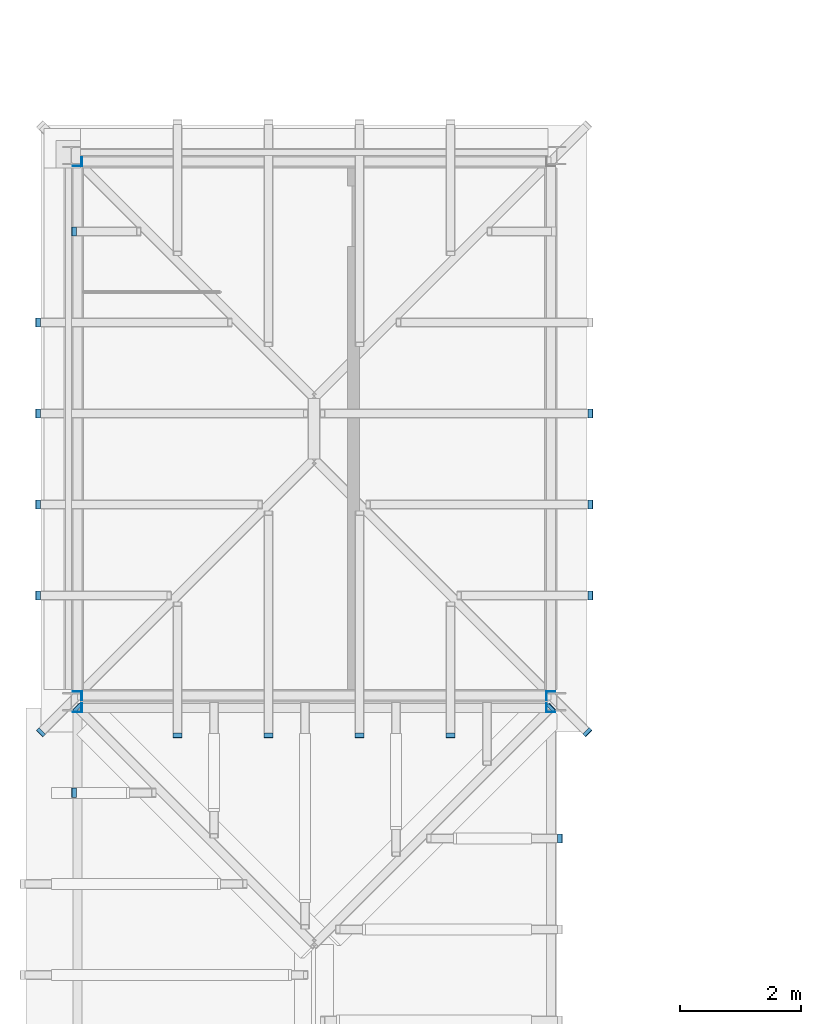
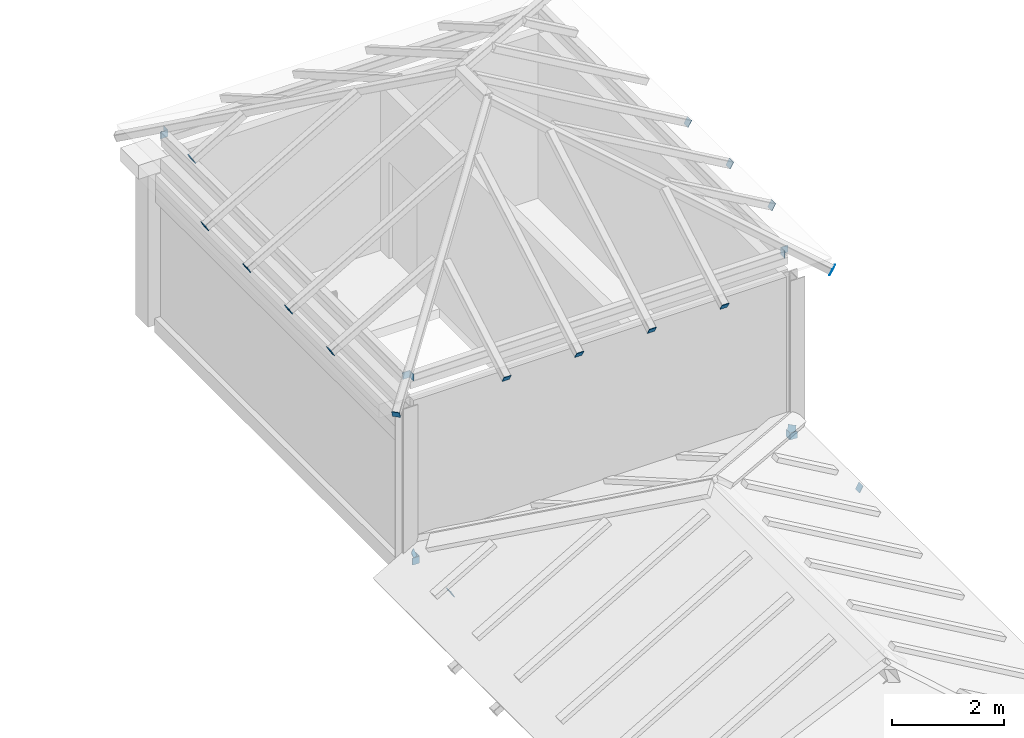
# One storey, part 81 of 111: 28 discrete accessories.
"""IFC4 building model written with IfcOpenShell, lengths in metres."""

import ifcopenshell
import ifcopenshell.guid

model = None  # the IFC model being written
_history = None  # IfcOwnerHistory: only IFC2X3 demands one
_inside = {}  # id of a spatial element -> (the spatial element, [elements in it])
_under = {}  # id of a project, library or spatial element -> (it, [spatial elements below it])
_declared = {}  # id of a project -> (the project, [libraries it declares])
_typed = {}  # id of a type object -> (the type object, [elements of that type])
_made_of = {}  # id of a material, layer set ... -> (it, [elements and type objects made of it])


def new_model(schema):
    """Start an empty IFC model of exactly this schema.

    Asked for "IFC4X3", IfcOpenShell would pick the latest addendum, in which some entities
    have other attributes; the version numbers below select the first issue.
    IFC2X3 requires an IfcOwnerHistory on every rooted entity: one is made here for all.
    """
    global model, _history
    if schema == "IFC4X3":
        model = ifcopenshell.file(schema_version=(4, 3, 0, 0))
    else:
        model = ifcopenshell.file(schema=schema)
    _inside.clear()
    _under.clear()
    _declared.clear()
    _typed.clear()
    _made_of.clear()
    _history = None
    if model.schema == "IFC2X3":
        org = make("IfcOrganization", Name="unknown")
        user = make(
            "IfcPersonAndOrganization",
            ThePerson=make("IfcPerson", FamilyName="unknown"),
            TheOrganization=org,
        )
        app = make(
            "IfcApplication",
            ApplicationDeveloper=org,
            Version="unknown",
            ApplicationFullName="unknown",
            ApplicationIdentifier="unknown",
        )
        _history = make(
            "IfcOwnerHistory",
            OwningUser=user,
            OwningApplication=app,
            ChangeAction="ADDED",
            CreationDate=0,
        )
    return model


def make(cls, **values):
    """One entity of the class cls with the attributes given. An attribute that is None is left unset."""
    return model.create_entity(
        cls, **{name: value for name, value in values.items() if value is not None}
    )


def rooted(cls, **values):
    """An entity with a GlobalId (a new one), such as an element, a storey or a relation."""
    return make(cls, GlobalId=ifcopenshell.guid.new(), OwnerHistory=_history, **values)


def si_unit(unit_type, name, prefix=None):
    """IfcSIUnit, for example si_unit("LENGTHUNIT", "METRE", prefix="MILLI")."""
    return make("IfcSIUnit", UnitType=unit_type, Prefix=prefix, Name=name)


def assignment(units):
    """IfcUnitAssignment: the units of a project."""
    return None if units is None else make("IfcUnitAssignment", Units=units)


def point(xyz):
    """IfcCartesianPoint."""
    return None if xyz is None else make("IfcCartesianPoint", Coordinates=xyz)


def direction(xyz):
    """IfcDirection."""
    return None if xyz is None else make("IfcDirection", DirectionRatios=xyz)


def frame(location, z_axis=None, x_axis=None):
    """IfcAxis2Placement3D, a coordinate frame: its origin and axes. An axis left out is left unset."""
    return make(
        "IfcAxis2Placement3D",
        Location=point(location),
        Axis=direction(z_axis),
        RefDirection=direction(x_axis),
    )


def frame_2d(location, x_axis=None):
    """IfcAxis2Placement2D, a coordinate frame in the plane: its origin and x axis."""
    return make(
        "IfcAxis2Placement2D", Location=point(location), RefDirection=direction(x_axis)
    )


def origin():
    """The frame at (0, 0, 0) with its axes left unset."""
    return frame((0.0, 0.0, 0.0))


def origin_2d():
    """The frame at (0, 0) in the plane with its x axis left unset."""
    return frame_2d((0.0, 0.0))


def place(relative_to, where):
    """IfcLocalPlacement: puts the frame where relative to a parent placement (None: the world)."""
    return make(
        "IfcLocalPlacement", PlacementRelTo=relative_to, RelativePlacement=where
    )


def context(
    kind, dimensions, precision=None, world=None, true_north=None, identifier=None
):
    """IfcGeometricRepresentationContext, for example the 3D "Model" context."""
    return make(
        "IfcGeometricRepresentationContext",
        ContextIdentifier=identifier,
        ContextType=kind,
        CoordinateSpaceDimension=dimensions,
        Precision=precision,
        WorldCoordinateSystem=world,
        TrueNorth=true_north,
    )


def subcontext(parent, identifier, kind, view, scale=None):
    """IfcGeometricRepresentationSubContext, for example "Body" below "Model"."""
    return make(
        "IfcGeometricRepresentationSubContext",
        ContextIdentifier=identifier,
        ContextType=kind,
        ParentContext=parent,
        TargetScale=scale,
        TargetView=view,
    )


def project(units=None, contexts=None):
    """IfcProject with its units and contexts."""
    return rooted(
        "IfcProject",
        Name="project",
        RepresentationContexts=contexts,
        UnitsInContext=assignment(units),
    )


def spatial(cls, under=None, at=None, **own):
    """A site, building, storey or space (cls), placed at a placement, below another one or the project."""
    s = rooted(cls, ObjectPlacement=at, **own)
    if under is not None:
        _under.setdefault(under.id(), (under, []))[1].append(s)
    return s


def profile(cls, at=None, kind="AREA", **sizes):
    """A parametric profile (cls). Its sizes go by their IFC names, for example OverallWidth=200.0."""
    return make(cls, ProfileType=kind, Position=at, **sizes)


def rectangle(**sizes):
    """IfcRectangleProfileDef."""
    return profile("IfcRectangleProfileDef", **sizes)


def extrude(swept, where, along, depth):
    """IfcExtrudedAreaSolid: the profile swept, set in the frame where, extruded along a direction by depth."""
    return make(
        "IfcExtrudedAreaSolid",
        SweptArea=swept,
        Position=where,
        ExtrudedDirection=direction(along),
        Depth=depth,
    )


def shape(context_of_items, identifier, shape_type, items):
    """IfcShapeRepresentation: the items that make up one representation, for example the "Body"."""
    return make(
        "IfcShapeRepresentation",
        ContextOfItems=context_of_items,
        RepresentationIdentifier=identifier,
        RepresentationType=shape_type,
        Items=items,
    )


def material(Name=None, Category=None):
    """IfcMaterial."""
    return make("IfcMaterial", Name=Name, Category=Category)


def material_profile(
    of_material, cross_section, Name=None, Category=None, Priority=None
):
    """IfcMaterialProfile: a cross section and its material."""
    return make(
        "IfcMaterialProfile",
        Name=Name,
        Material=of_material,
        Profile=cross_section,
        Priority=Priority,
        Category=Category,
    )


def profile_set(profiles, Name=None, composite=None):
    """IfcMaterialProfileSet."""
    return make(
        "IfcMaterialProfileSet",
        Name=Name,
        MaterialProfiles=profiles,
        CompositeProfile=composite,
    )


def made_of(thing, what):
    """Note that an element or type object is made of a material, layer set ...; save() writes the relation."""
    if what is not None:
        _made_of.setdefault(what.id(), (what, []))[1].append(thing)
    return thing


def type_object(cls, material=None, **own):
    """A type object (cls), such as IfcWallType, which elements share."""
    return made_of(rooted(cls, **own), material)


def element(
    cls,
    number,
    at=None,
    inside=None,
    cuts=None,
    type_object=None,
    material=None,
    context=None,
    identifier="Body",
    shape_type=None,
    held_by="IfcProductDefinitionShape",
    body=None,
    shapes=None,
    **own,
):
    """One element of the class cls, such as IfcWall. Its Tag is "e" and its number.

    at: its placement. inside: the storey or other place that contains it. cuts: it is an
    opening in that element (IfcRelVoidsElement). A single representation is given by context,
    identifier, shape_type and body (its items); several are given by shapes. held_by: the class
    of the entity that holds the representations. save() writes the other relations.
    """
    e = rooted(cls, Tag="e%d" % number, ObjectPlacement=at, **own)
    if body is not None:
        shapes = [shape(context, identifier, shape_type, body)]
    if shapes is not None:
        e.Representation = make(held_by, Representations=shapes)
    if inside is not None:
        _inside.setdefault(inside.id(), (inside, []))[1].append(e)
    if cuts is not None:
        rooted(
            "IfcRelVoidsElement", RelatingBuildingElement=cuts, RelatedOpeningElement=e
        )
    if type_object is not None:
        _typed.setdefault(type_object.id(), (type_object, []))[1].append(e)
    return made_of(e, material)


def aggregate(whole, parts):
    """IfcRelAggregates: a whole, such as a stair, and the parts it consists of."""
    return rooted("IfcRelAggregates", RelatingObject=whole, RelatedObjects=parts)


def save(model, path):
    """Write the relations noted so far, then the file.

    IfcRelAggregates (storeys below a building ...), IfcRelContainedInSpatialStructure (elements
    in a storey), IfcRelDefinesByType, IfcRelAssociatesMaterial and IfcRelDeclares: one each for
    every whole, place, type object, material and project.
    """
    for whole, parts in _under.values():
        aggregate(whole, parts)
    for where, things in _inside.values():
        rooted(
            "IfcRelContainedInSpatialStructure",
            RelatedElements=things,
            RelatingStructure=where,
        )
    for kind, things in _typed.values():
        rooted("IfcRelDefinesByType", RelatedObjects=things, RelatingType=kind)
    for what, things in _made_of.values():
        rooted("IfcRelAssociatesMaterial", RelatedObjects=things, RelatingMaterial=what)
    for by, libraries in _declared.values():
        rooted("IfcRelDeclares", RelatingContext=by, RelatedDefinitions=libraries)
    model.write(path)


model = new_model("IFC4")

# Units and contexts
model_context = context("Model", 3, precision=1e-05, world=origin(), true_north=direction((0.0, 1.0)))
body_context = subcontext(model_context, "Body", "Model", "MODEL_VIEW")
ifc_project = project(units=[si_unit("LENGTHUNIT", "METRE"), si_unit("AREAUNIT", "SQUARE_METRE"), si_unit("VOLUMEUNIT", "CUBIC_METRE"), si_unit("PLANEANGLEUNIT", "RADIAN"), si_unit("MASSUNIT", "GRAM", prefix="KILO")], contexts=[model_context])

# Site, building, storey
site_placement = place(None, origin())
site = spatial("IfcSite", under=ifc_project, at=site_placement, CompositionType="ELEMENT")
building_placement = place(site_placement, origin())
building = spatial("IfcBuilding", under=site, at=building_placement, Name="Kallimachos Central Library", CompositionType="ELEMENT")
storey_placement = place(building_placement, frame((0.0, 0.0, 14.39990234375)))
storey = spatial("IfcBuildingStorey", under=building, at=storey_placement, Name="L03", CompositionType="ELEMENT", Elevation=14.39990234375)

# Discrete accessories
ifc_material = material(Name="Steel S355J2", Category="steel")
ifc_material_profile = material_profile(ifc_material, rectangle(XDim=0.14990234375, YDim=0.14990234375, at=origin_2d()), Name="End cap plate 10, 150x150")
ifc_profile_set = profile_set([ifc_material_profile], Name="Steel S355J2")
discrete_accessory_type = type_object("IfcDiscreteAccessoryType", Name="End cap plate 10, 150x150", PredefinedType="BRACKET", material=ifc_profile_set)
for number, where, z_axis, x_axis, name in (
    (1, (6.1650390625, 26.89990234375, 0.22509765625), (1.0, 0.0, 0.0), (0.0, 1.0, 0.0), "End cap plate"),
    (2, (13.824951171875, 26.89990234375, 0.22509765625), (1.0, 0.0, 0.0), (0.0, 1.0, 0.0), "End cap plate"),
    (3, (6.10009765625, 26.824951171875, 0.22509765625), (0.0, 1.0, 0.0), (-1.0, 0.0, 0.0), "End cap plate"),
    (4, (13.89990234375, 26.824951171875, 0.22509765625), (0.0, 1.0, 0.0), (-1.0, 0.0, 0.0), "End cap plate"),
):
    element("IfcDiscreteAccessory", number, at=place(storey_placement, frame(where, z_axis=z_axis, x_axis=x_axis)), inside=storey, type_object=discrete_accessory_type, Name=name, PredefinedType="BRACKET", context=body_context, shape_type="SweptSolid", body=[
        extrude(rectangle(XDim=0.14990234375, YDim=0.14990234375, at=origin_2d()), origin(), (0.0, 0.0, 1.0), 0.010009765625),
    ])
discrete_accessory_1_placement = place(storey_placement, frame((6.041259765625, 25.5, 0.352783203125), z_axis=(0.863778900898, 0.0, 0.503871025524), x_axis=(0.0, 1.0, 0.0)))
element("IfcDiscreteAccessory", 5, at=discrete_accessory_1_placement, inside=storey, type_object=discrete_accessory_type, Name="End cap plate", PredefinedType="BRACKET", context=body_context, shape_type="SweptSolid", body=[
    extrude(rectangle(XDim=0.14990234375, YDim=0.14990234375, at=origin_2d()), origin(), (0.0, 0.0, 1.0), 0.01025390625),
])
discrete_accessory_2_placement = place(storey_placement, frame((14.05859375, 24.75, 0.295166015625), z_axis=(-0.868243142124, 0.0, 0.496138938357), x_axis=(0.0, -1.0, 0.0)))
element("IfcDiscreteAccessory", 6, at=discrete_accessory_2_placement, inside=storey, type_object=discrete_accessory_type, Name="End cap plate", PredefinedType="BRACKET", context=body_context, shape_type="SweptSolid", body=[
    extrude(rectangle(XDim=0.14990234375, YDim=0.14990234375, at=origin_2d()), origin(), (0.0, 0.0, 1.0), 0.009765625),
])
for number, where, z_axis, x_axis, name in (
    (7, (6.093505859375, 26.906494140625, 0.323486328125), (0.658145181714, -0.658145181714, 0.365636212064), (0.707106781187, 0.707106781187, 0.0), "End cap plate"),
    (8, (13.906494140625, 26.906494140625, 0.323486328125), (-0.658145181714, -0.658145181714, 0.365636212064), (0.707106781187, -0.707106781187, 0.0), "End cap plate"),
    (9, (6.1650390625, 27.10009765625, 4.0751953125), (1.0, 0.0, 0.0), (0.0, 1.0, 0.0), "End cap plate"),
    (10, (13.824951171875, 27.10009765625, 4.0751953125), (1.0, 0.0, 0.0), (0.0, 1.0, 0.0), "End cap plate"),
    (11, (6.1650390625, 35.89990234375, 4.0751953125), (1.0, 0.0, 0.0), (0.0, 1.0, 0.0), "End cap plate"),
    (12, (6.10009765625, 27.1650390625, 4.0751953125), (0.0, 1.0, 0.0), (-1.0, 0.0, 0.0), "End cap plate"),
    (13, (6.10009765625, 35.824951171875, 4.0751953125), (0.0, 1.0, 0.0), (-1.0, 0.0, 0.0), "End cap plate"),
    (14, (13.89990234375, 27.1650390625, 4.0751953125), (0.0, 1.0, 0.0), (-1.0, 0.0, 0.0), "End cap plate"),
):
    element("IfcDiscreteAccessory", number, at=place(storey_placement, frame(where, z_axis=z_axis, x_axis=x_axis)), inside=storey, type_object=discrete_accessory_type, Name=name, PredefinedType="BRACKET", context=body_context, shape_type="SweptSolid", body=[
        extrude(rectangle(XDim=0.14990234375, YDim=0.14990234375, at=origin_2d()), origin(), (0.0, 0.0, 1.0), 0.010009765625),
    ])
for number, where, z_axis, x_axis, name in (
    (15, (7.75, 26.44140625, 3.8564453125), (0.0, 0.868243142124, 0.496138938357), (-1.0, 0.0, 0.0), "End cap plate"),
    (16, (9.25, 26.44140625, 3.8564453125), (0.0, 0.868243142124, 0.496138938357), (-1.0, 0.0, 0.0), "End cap plate"),
    (17, (10.75, 26.44140625, 3.8564453125), (0.0, 0.868243142124, 0.496138938357), (-1.0, 0.0, 0.0), "End cap plate"),
    (18, (12.25, 26.44140625, 3.8564453125), (0.0, 0.868243142124, 0.496138938357), (-1.0, 0.0, 0.0), "End cap plate"),
    (19, (5.44140625, 28.75, 3.8564453125), (0.868243142124, 0.0, 0.496138938357), (0.0, 1.0, 0.0), "End cap plate"),
    (20, (5.44140625, 30.25, 3.8564453125), (0.868243142124, 0.0, 0.496138938357), (0.0, 1.0, 0.0), "End cap plate"),
    (21, (5.44140625, 31.75, 3.8564453125), (0.868243142124, 0.0, 0.496138938357), (0.0, 1.0, 0.0), "End cap plate"),
    (22, (5.44140625, 33.25, 3.8564453125), (0.868243142124, 0.0, 0.496138938357), (0.0, 1.0, 0.0), "End cap plate"),
):
    element("IfcDiscreteAccessory", number, at=place(storey_placement, frame(where, z_axis=z_axis, x_axis=x_axis)), inside=storey, type_object=discrete_accessory_type, Name=name, PredefinedType="BRACKET", context=body_context, shape_type="SweptSolid", body=[
        extrude(rectangle(XDim=0.14990234375, YDim=0.14990234375, at=origin_2d()), origin(), (0.0, 0.0, 1.0), 0.009765625),
    ])
discrete_accessory_3_placement = place(storey_placement, frame((6.041259765625, 34.75, 4.202880859375), z_axis=(0.874157276122, 0.0, 0.485642931179), x_axis=(0.0, 1.0, 0.0)))
element("IfcDiscreteAccessory", 23, at=discrete_accessory_3_placement, inside=storey, type_object=discrete_accessory_type, Name="End cap plate", PredefinedType="BRACKET", context=body_context, shape_type="SweptSolid", body=[
    extrude(rectangle(XDim=0.14990234375, YDim=0.14990234375, at=origin_2d()), origin(), (0.0, 0.0, 1.0), 0.010009765625),
])
for number, where, z_axis, x_axis, name in (
    (24, (14.55859375, 28.75, 3.8564453125), (-0.868243142124, 0.0, 0.496138938357), (0.0, -1.0, 0.0), "End cap plate"),
    (25, (14.55859375, 30.25, 3.8564453125), (-0.868243142124, 0.0, 0.496138938357), (0.0, -1.0, 0.0), "End cap plate"),
    (26, (14.55859375, 31.75, 3.8564453125), (-0.868243142124, 0.0, 0.496138938357), (0.0, -1.0, 0.0), "End cap plate"),
):
    element("IfcDiscreteAccessory", number, at=place(storey_placement, frame(where, z_axis=z_axis, x_axis=x_axis)), inside=storey, type_object=discrete_accessory_type, Name=name, PredefinedType="BRACKET", context=body_context, shape_type="SweptSolid", body=[
        extrude(rectangle(XDim=0.14990234375, YDim=0.14990234375, at=origin_2d()), origin(), (0.0, 0.0, 1.0), 0.009765625),
    ])
for number, where, z_axis, x_axis, name in (
    (27, (5.493408203125, 26.493408203125, 3.826904296875), (0.652166303035, 0.652166303035, 0.386468920317), (-0.707106781187, 0.707106781187, 0.0), "End cap plate"),
    (28, (14.506591796875, 26.493408203125, 3.826904296875), (-0.652166303035, 0.652166303035, 0.386468920317), (-0.707106781187, -0.707106781187, 0.0), "End cap plate"),
):
    element("IfcDiscreteAccessory", number, at=place(storey_placement, frame(where, z_axis=z_axis, x_axis=x_axis)), inside=storey, type_object=discrete_accessory_type, Name=name, PredefinedType="BRACKET", context=body_context, shape_type="SweptSolid", body=[
        extrude(rectangle(XDim=0.14990234375, YDim=0.14990234375, at=origin_2d()), origin(), (0.0, 0.0, 1.0), 0.010009765625),
    ])

save(model, "model.ifc")
